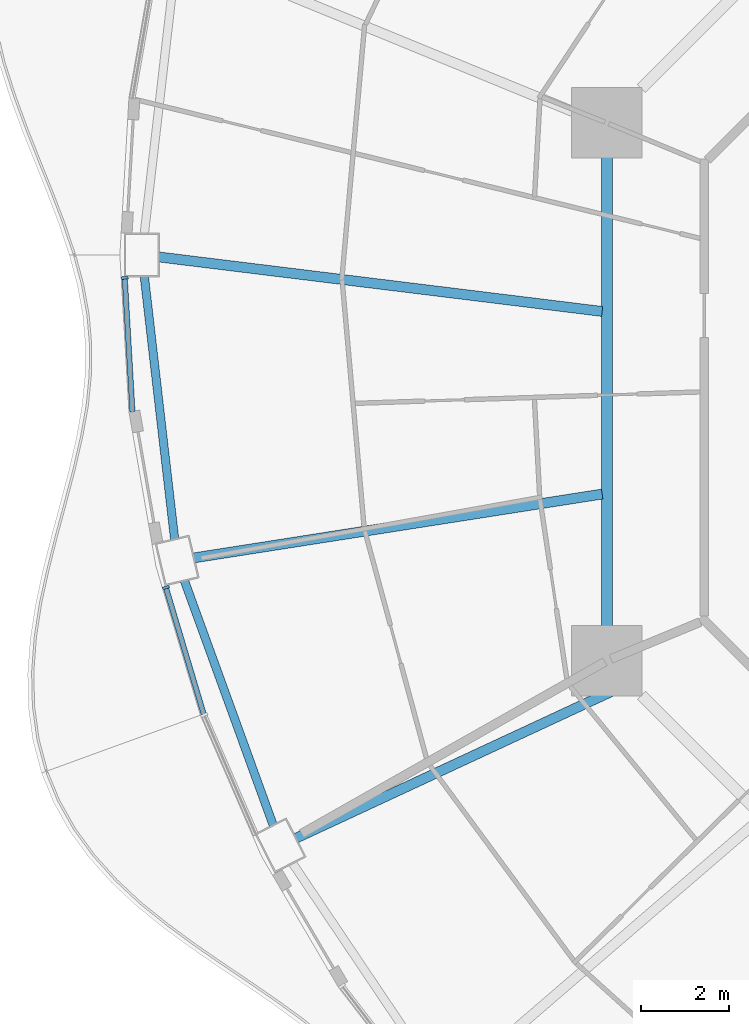
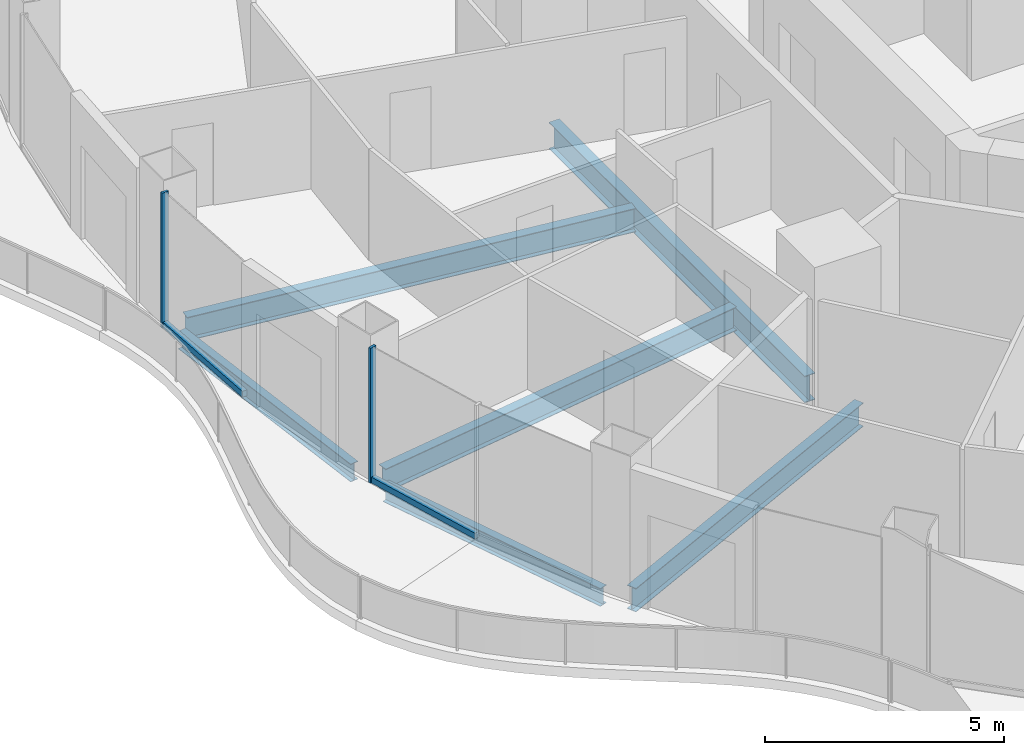
# One storey, part 3 of 18: 6 beams, 4 members, 2 elements without a shape of their own.
"""IFC4 building model written with IfcOpenShell, lengths in metres."""

from ifc_helpers import new_model, si_unit, direction, frame, origin, origin_2d, place, context, subcontext, project, spatial, rectangle, i_section, extrude, material, layer, layer_set, material_profile, profile_set, type_object, element, aggregate, save


model = new_model("IFC4")

# Units and contexts
model_context = context("Model", 3, precision=1e-05, world=origin(), true_north=direction((0.0, 1.0)))
body_context = subcontext(model_context, "Body", "Model", "MODEL_VIEW")
ifc_project = project(units=[si_unit("LENGTHUNIT", "METRE"), si_unit("AREAUNIT", "SQUARE_METRE"), si_unit("VOLUMEUNIT", "CUBIC_METRE"), si_unit("PLANEANGLEUNIT", "RADIAN"), si_unit("MASSUNIT", "GRAM", prefix="KILO")], contexts=[model_context])

# Site, building, storey
site_placement = place(None, origin())
site = spatial("IfcSite", under=ifc_project, at=site_placement, CompositionType="ELEMENT")
building_placement = place(site_placement, origin())
building = spatial("IfcBuilding", under=site, at=building_placement, Name="Nagisa Residences", CompositionType="ELEMENT")
storey_placement = place(building_placement, frame((0.0, 0.0, 238.10009765625)))
storey = spatial("IfcBuildingStorey", under=building, at=storey_placement, Name="L60", CompositionType="ELEMENT", Elevation=238.10009765625)

# Curtain wall, member
ifc_material_1 = material(Name="Concrete-coloured aluminium curtain wall system", Category="concrete")
ifc_layer = layer(ifc_material_1, 0.159912109375)
ifc_layer_set = layer_set([ifc_layer], Name="CW1 CURTAIN WALL")
curtain_wall_type = type_object("IfcCurtainWallType", Name="CW1 CURTAIN WALL", PredefinedType="NOTDEFINED", material=ifc_layer_set)
curtain_wall_1_placement = place(storey_placement, origin())
curtain_wall_1 = element("IfcCurtainWall", 1, at=curtain_wall_1_placement, inside=storey, type_object=curtain_wall_type, Name="cw:CW1:L60:24", PredefinedType="NOTDEFINED")
ifc_material_2 = material(Name="Concrete-coloured aluminium", Category="concrete")
ifc_material_profile_1 = material_profile(ifc_material_2, rectangle(XDim=0.159912109375, YDim=0.06005859375, at=origin_2d()), Name="CW1 MULLION 160x60")
ifc_profile_set_1 = profile_set([ifc_material_profile_1], Name="Concrete-coloured aluminium")
member_type_1 = type_object("IfcMemberType", Name="CW1 MULLION 160x60", PredefinedType="MULLION", material=ifc_profile_set_1)
member_1_placement = place(storey_placement, frame((-25.759765625, 2.59326171875, 0.0), z_axis=(0.0, 0.0, 1.0), x_axis=(0.998345305184, 0.057503492216, 0.0)))
member_1 = element("IfcMember", 2, at=member_1_placement, type_object=member_type_1, Name="CW1 mullion", PredefinedType="MULLION", context=body_context, shape_type="SweptSolid", body=[
    extrude(rectangle(XDim=0.159912109375, YDim=0.06005859375, at=origin_2d()), origin(), (0.0, 0.0, 1.0), 3.43994140625),
])

curtain_wall_2_placement = place(storey_placement, origin())
curtain_wall_2 = element("IfcCurtainWall", 3, at=curtain_wall_2_placement, inside=storey, type_object=curtain_wall_type, Name="cw:CW1:L60:26", PredefinedType="NOTDEFINED")
member_2_placement = place(storey_placement, frame((-24.82177734375, -4.456298828125, 0.0), z_axis=(0.0, 0.0, 1.0), x_axis=(0.958271310082, 0.285860274038, 0.0)))
member_2 = element("IfcMember", 4, at=member_2_placement, type_object=member_type_1, Name="CW1 mullion", PredefinedType="MULLION", context=body_context, shape_type="SweptSolid", body=[
    extrude(rectangle(XDim=0.159912109375, YDim=0.06005859375, at=origin_2d()), origin(), (0.0, 0.0, 1.0), 3.43994140625),
])

# Member
ifc_material_3 = material(Name="Concrete-coloured aluminium", Category="concrete")
ifc_material_profile_2 = material_profile(ifc_material_3, rectangle(XDim=0.1201171875, YDim=0.14990234375, at=origin_2d()), Name="CW1 TRANSOM 120x150")
ifc_profile_set_2 = profile_set([ifc_material_profile_2], Name="Concrete-coloured aluminium")
member_type_2 = type_object("IfcMemberType", Name="CW1 TRANSOM 120x150", PredefinedType="USERDEFINED", material=ifc_profile_set_2)
member_3_placement = place(storey_placement, frame((-25.761474609375, 2.623046875, 0.074951171875), z_axis=(0.057528189427, -0.998343882348, 0.0), x_axis=(0.998343882348, 0.057528189427, 0.0)))
member_3 = element("IfcMember", 5, at=member_3_placement, type_object=member_type_2, Name="CW1 transom", ObjectType="TRANSOM", PredefinedType="USERDEFINED", context=body_context, shape_type="SweptSolid", body=[
    extrude(rectangle(XDim=0.1201171875, YDim=0.14990234375, at=origin_2d()), origin(), (0.0, 0.0, 1.0), 3.0810546875),
])

aggregate(curtain_wall_1, [member_1, member_3])

member_4_placement = place(storey_placement, frame((-24.830322265625, -4.427734375, 0.074951171875), z_axis=(0.285881452443, -0.958264992134, 0.0), x_axis=(0.958264992134, 0.285881452443, 0.0)))
member_4 = element("IfcMember", 6, at=member_4_placement, type_object=member_type_2, Name="CW1 transom", ObjectType="TRANSOM", PredefinedType="USERDEFINED", context=body_context, shape_type="SweptSolid", body=[
    extrude(rectangle(XDim=0.1201171875, YDim=0.14990234375, at=origin_2d()), origin(), (0.0, 0.0, 1.0), 3.040283203125),
])

aggregate(curtain_wall_2, [member_2, member_4])

# Beams
ifc_material_4 = material(Name="Steel ASTM A572 Gr 50", Category="steel")
ifc_material_profile_3 = material_profile(ifc_material_4, i_section(OverallWidth=0.2529296875, OverallDepth=0.677978515625, WebThickness=0.01171875, FlangeThickness=0.016357421875, at=origin_2d()), Name="W690x125")
ifc_profile_set_3 = profile_set([ifc_material_profile_3], Name="Steel ASTM A572 Gr 50")
beam_type_1 = type_object("IfcBeamType", Name="Inner ring beam W690x125", PredefinedType="BEAM", material=ifc_profile_set_3)
beam_1_placement = place(storey_placement, frame((-14.781982421875, 5.343017578125, -0.59912109375), z_axis=(0.0, -1.0, 0.0), x_axis=(1.0, 0.0, 0.0)))
element("IfcBeam", 7, at=beam_1_placement, inside=storey, type_object=beam_type_1, Name="beam:L60:ib4", PredefinedType="BEAM", context=body_context, shape_type="SweptSolid", body=[
    extrude(i_section(OverallWidth=0.2529296875, OverallDepth=0.677978515625, WebThickness=0.01171875, FlangeThickness=0.016357421875, at=origin_2d()), origin(), (0.0, 0.0, 1.0), 10.68603515625),
])
ifc_material_5 = material(Name="Steel ASTM A572 Gr 50", Category="steel")
ifc_material_profile_4 = material_profile(ifc_material_5, i_section(OverallWidth=0.18994140625, OverallDepth=0.45703125, WebThickness=0.009033203125, FlangeThickness=0.014404296875, at=origin_2d()), Name="W460x74")
ifc_profile_set_4 = profile_set([ifc_material_profile_4], Name="Steel ASTM A572 Gr 50")
beam_type_2 = type_object("IfcBeamType", Name="Perimeter ring beam W460x74", PredefinedType="BEAM", material=ifc_profile_set_4)
beam_2_placement = place(storey_placement, frame((-25.314697265625, 2.637451171875, -0.488525390625), z_axis=(0.114650193512, -0.993405925656, 0.0), x_axis=(0.993405925656, 0.114650193512, 0.0)))
element("IfcBeam", 8, at=beam_2_placement, inside=storey, type_object=beam_type_2, Name="beam:L60:pb13", PredefinedType="BEAM", context=body_context, shape_type="SweptSolid", body=[
    extrude(i_section(OverallWidth=0.18994140625, OverallDepth=0.45703125, WebThickness=0.009033203125, FlangeThickness=0.014404296875, at=origin_2d()), origin(), (0.0, 0.0, 1.0), 6.0390625),
])
beam_3_placement = place(storey_placement, frame((-24.40185546875, -4.29638671875, -0.488525390625), z_axis=(0.341290329164, -0.939957930558, 0.0), x_axis=(0.939957930558, 0.341290329164, 0.0)))
element("IfcBeam", 9, at=beam_3_placement, inside=storey, type_object=beam_type_2, Name="beam:L60:pb14", PredefinedType="BEAM", context=body_context, shape_type="SweptSolid", body=[
    extrude(i_section(OverallWidth=0.18994140625, OverallDepth=0.45703125, WebThickness=0.009033203125, FlangeThickness=0.014404296875, at=origin_2d()), origin(), (0.0, 0.0, 1.0), 5.932373046875),
])
ifc_material_6 = material(Name="Steel ASTM A572 Gr 50", Category="steel")
ifc_material_profile_5 = material_profile(ifc_material_6, i_section(OverallWidth=0.22802734375, OverallDepth=0.60302734375, WebThickness=0.010498046875, FlangeThickness=0.014892578125, at=origin_2d()), Name="W610x101")
ifc_profile_set_5 = profile_set([ifc_material_profile_5], Name="Steel ASTM A572 Gr 50")
beam_type_3 = type_object("IfcBeamType", Name="Radial beam W610x101", PredefinedType="BEAM", material=ifc_profile_set_5)
beam_4_placement = place(storey_placement, frame((-24.98974609375, 3.071044921875, -0.5615234375), z_axis=(0.992531892614, -0.121985417749, 0.0), x_axis=(0.121985417749, 0.992531892614, 0.0)))
element("IfcBeam", 10, at=beam_4_placement, inside=storey, type_object=beam_type_3, Name="beam:L60:rb13", PredefinedType="BEAM", context=body_context, shape_type="SweptSolid", body=[
    extrude(i_section(OverallWidth=0.22802734375, OverallDepth=0.60302734375, WebThickness=0.010498046875, FlangeThickness=0.014892578125, at=origin_2d()), origin(), (0.0, 0.0, 1.0), 10.177001953125),
])
beam_5_placement = place(storey_placement, frame((-24.190185546875, -3.782958984375, -0.5615234375), z_axis=(0.987991506145, 0.154508199738, 0.0), x_axis=(-0.154508199738, 0.987991506145, 0.0)))
element("IfcBeam", 11, at=beam_5_placement, inside=storey, type_object=beam_type_3, Name="beam:L60:rb14", PredefinedType="BEAM", context=body_context, shape_type="SweptSolid", body=[
    extrude(i_section(OverallWidth=0.22802734375, OverallDepth=0.60302734375, WebThickness=0.010498046875, FlangeThickness=0.014892578125, at=origin_2d()), origin(), (0.0, 0.0, 1.0), 9.414306640625),
])
beam_6_placement = place(storey_placement, frame((-21.867431640625, -10.1669921875, -0.5615234375), z_axis=(0.906781531642, 0.421600822903, 0.0), x_axis=(-0.421600822903, 0.906781531642, 0.0)))
element("IfcBeam", 12, at=beam_6_placement, inside=storey, type_object=beam_type_3, Name="beam:L60:rb15", PredefinedType="BEAM", context=body_context, shape_type="SweptSolid", body=[
    extrude(i_section(OverallWidth=0.22802734375, OverallDepth=0.60302734375, WebThickness=0.010498046875, FlangeThickness=0.014892578125, at=origin_2d()), origin(), (0.0, 0.0, 1.0), 8.263427734375),
])

save(model, "model.ifc")
